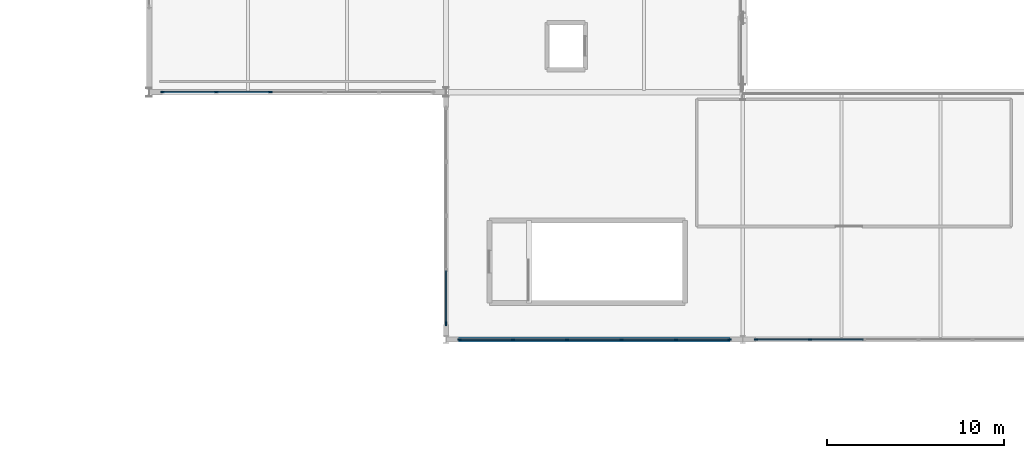
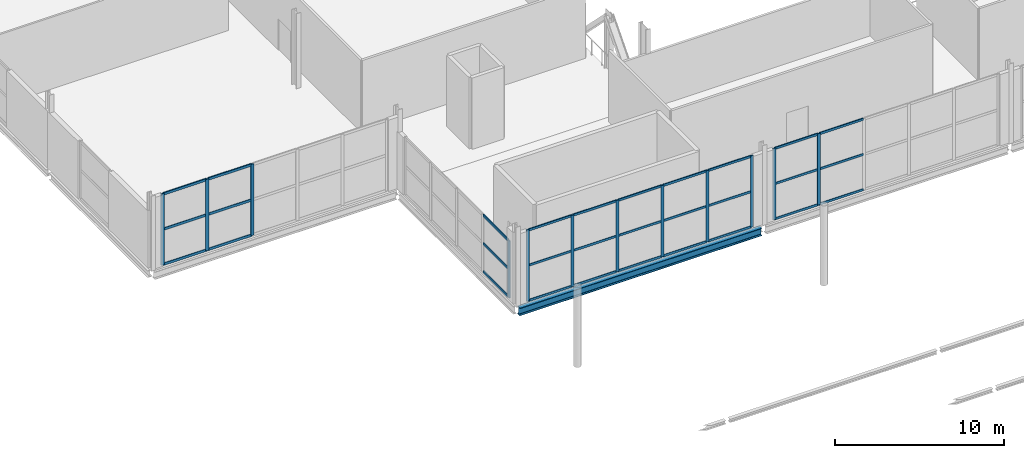
# One storey, part 18 of 84: 42 members, 1 beam, 4 elements without a shape of their own.
"""IFC4 building model written with IfcOpenShell, lengths in metres."""

from ifc_helpers import new_model, si_unit, direction, frame, origin, origin_2d, place, context, subcontext, project, spatial, rectangle, i_section, extrude, material, material_profile, profile_set, type_object, element, aggregate, save


model = new_model("IFC4")

# Units and contexts
model_context = context("Model", 3, precision=1e-05, world=origin(), true_north=direction((0.0, 1.0)))
body_context = subcontext(model_context, "Body", "Model", "MODEL_VIEW")
ifc_project = project(units=[si_unit("LENGTHUNIT", "METRE"), si_unit("AREAUNIT", "SQUARE_METRE"), si_unit("VOLUMEUNIT", "CUBIC_METRE"), si_unit("PLANEANGLEUNIT", "RADIAN"), si_unit("MASSUNIT", "GRAM", prefix="KILO")], contexts=[model_context])

# Site, building, storey
site_placement = place(None, origin())
site = spatial("IfcSite", under=ifc_project, at=site_placement, CompositionType="ELEMENT")
building_placement = place(site_placement, origin())
building = spatial("IfcBuilding", under=site, at=building_placement, Name="Kimbaza Rail Terminus", CompositionType="ELEMENT")
storey_placement = place(building_placement, frame((0.0, 0.0, 5.39990234375)))
storey = spatial("IfcBuildingStorey", under=building, at=storey_placement, Name="L01", CompositionType="ELEMENT", Elevation=5.39990234375)

# Curtain wall, member
ifc_material_1 = material(Name="Anodised aluminium framing and solar low-E glazing", Category="aluminium")
curtain_wall_type_1 = type_object("IfcCurtainWallType", Name="ARC-CW-TH1", PredefinedType="USERDEFINED", material=ifc_material_1)
curtain_wall_1_placement = place(storey_placement, origin())
curtain_wall_1 = element("IfcCurtainWall", 1, at=curtain_wall_1_placement, inside=storey, type_object=curtain_wall_type_1, Name="Concourse W Return Curtain Wall L01", ObjectType="UNITISED CURTAIN WALL", PredefinedType="USERDEFINED")
ifc_material_2 = material(Name="Anodised architectural aluminium", Category="aluminium")
ifc_material_profile_1 = material_profile(ifc_material_2, rectangle(XDim=0.074951171875, YDim=0.219970703125, at=origin_2d()), Name="MULLION 75x220")
ifc_profile_set_1 = profile_set([ifc_material_profile_1], Name="Anodised architectural aluminium")
member_type_1 = type_object("IfcMemberType", Name="ARC-CWM-01", PredefinedType="MULLION", material=ifc_profile_set_1)
member_1_placement = place(storey_placement, frame((55.199951171875, 41.8974609375, 0.0), z_axis=(0.0, 0.0, 1.0), x_axis=(-1.0, 0.0, 0.0)))
member_1 = element("IfcMember", 2, at=member_1_placement, type_object=member_type_1, Name="CW-01 mullion 1", PredefinedType="MULLION", context=body_context, shape_type="SweptSolid", body=[
    extrude(rectangle(XDim=0.074951171875, YDim=0.219970703125, at=origin_2d()), origin(), (0.0, 0.0, 1.0), 4.125),
])

# Curtain wall, members
curtain_wall_2_placement = place(storey_placement, origin())
curtain_wall_2 = element("IfcCurtainWall", 3, at=curtain_wall_2_placement, inside=storey, type_object=curtain_wall_type_1, Name="Ticket Hall Wing W Curtain Wall L01.1", ObjectType="UNITISED CURTAIN WALL", PredefinedType="USERDEFINED")
member_2_placement = place(storey_placement, frame((39.157470703125, 55.0, 0.0), z_axis=(0.0, 0.0, 1.0), x_axis=(0.0, 1.0, 0.0)))
member_2 = element("IfcMember", 4, at=member_2_placement, type_object=member_type_1, Name="CW-01 mullion 1", PredefinedType="MULLION", context=body_context, shape_type="SweptSolid", body=[
    extrude(rectangle(XDim=0.074951171875, YDim=0.219970703125, at=origin_2d()), origin(), (0.0, 0.0, 1.0), 5.14013671875),
])
member_3_placement = place(storey_placement, frame((42.19189453125, 55.0, 0.0), z_axis=(0.0, 0.0, 1.0), x_axis=(0.0, 1.0, 0.0)))
member_3 = element("IfcMember", 5, at=member_3_placement, type_object=member_type_1, Name="CW-01 mullion 2", PredefinedType="MULLION", context=body_context, shape_type="SweptSolid", body=[
    extrude(rectangle(XDim=0.074951171875, YDim=0.219970703125, at=origin_2d()), origin(), (0.0, 0.0, 1.0), 5.14013671875),
])
member_4_placement = place(storey_placement, frame((45.263916015625, 55.0, 0.0), z_axis=(0.0, 0.0, 1.0), x_axis=(0.0, 1.0, 0.0)))
member_4 = element("IfcMember", 6, at=member_4_placement, type_object=member_type_1, Name="CW-01 mullion 3", PredefinedType="MULLION", context=body_context, shape_type="SweptSolid", body=[
    extrude(rectangle(XDim=0.074951171875, YDim=0.219970703125, at=origin_2d()), origin(), (0.0, 0.0, 1.0), 5.14013671875),
])

ifc_material_3 = material(Name="Anodised aluminium framing and solar low-E glazing", Category="aluminium")
curtain_wall_type_2 = type_object("IfcCurtainWallType", Name="ARC-CW-CN1", PredefinedType="USERDEFINED", material=ifc_material_3)
curtain_wall_3_placement = place(storey_placement, origin())
curtain_wall_3 = element("IfcCurtainWall", 7, at=curtain_wall_3_placement, inside=storey, type_object=curtain_wall_type_2, Name="South Concourse Upper Glazing L01 Bay 1", ObjectType="UNITISED CURTAIN WALL", PredefinedType="USERDEFINED")
ifc_material_4 = material(Name="Anodised architectural aluminium", Category="aluminium")
ifc_material_profile_2 = material_profile(ifc_material_4, rectangle(XDim=0.070068359375, YDim=0.199951171875, at=origin_2d()), Name="MULLION 70x200")
ifc_profile_set_2 = profile_set([ifc_material_profile_2], Name="Anodised architectural aluminium")
member_type_2 = type_object("IfcMemberType", Name="ARC-CWM-02", PredefinedType="MULLION", material=ifc_profile_set_2)
member_5_placement = place(storey_placement, frame((55.955078125, 41.0, 0.0), z_axis=(0.0, 0.0, 1.0), x_axis=(0.0, 1.0, 0.0)))
member_5 = element("IfcMember", 8, at=member_5_placement, type_object=member_type_2, Name="CW-02 mullion 1", PredefinedType="MULLION", context=body_context, shape_type="SweptSolid", body=[
    extrude(rectangle(XDim=0.070068359375, YDim=0.199951171875, at=origin_2d()), origin(), (0.0, 0.0, 1.0), 5.14013671875),
])
member_6_placement = place(storey_placement, frame((58.991943359375, 41.0, 0.0), z_axis=(0.0, 0.0, 1.0), x_axis=(0.0, 1.0, 0.0)))
member_6 = element("IfcMember", 9, at=member_6_placement, type_object=member_type_2, Name="CW-02 mullion 2", PredefinedType="MULLION", context=body_context, shape_type="SweptSolid", body=[
    extrude(rectangle(XDim=0.070068359375, YDim=0.199951171875, at=origin_2d()), origin(), (0.0, 0.0, 1.0), 5.14013671875),
])
member_7_placement = place(storey_placement, frame((62.06396484375, 41.0, 0.0), z_axis=(0.0, 0.0, 1.0), x_axis=(0.0, 1.0, 0.0)))
member_7 = element("IfcMember", 10, at=member_7_placement, type_object=member_type_2, Name="CW-02 mullion 3", PredefinedType="MULLION", context=body_context, shape_type="SweptSolid", body=[
    extrude(rectangle(XDim=0.070068359375, YDim=0.199951171875, at=origin_2d()), origin(), (0.0, 0.0, 1.0), 5.14013671875),
])
member_8_placement = place(storey_placement, frame((65.135986328125, 41.0, 0.0), z_axis=(0.0, 0.0, 1.0), x_axis=(0.0, 1.0, 0.0)))
member_8 = element("IfcMember", 11, at=member_8_placement, type_object=member_type_2, Name="CW-02 mullion 4", PredefinedType="MULLION", context=body_context, shape_type="SweptSolid", body=[
    extrude(rectangle(XDim=0.070068359375, YDim=0.199951171875, at=origin_2d()), origin(), (0.0, 0.0, 1.0), 5.14013671875),
])
member_9_placement = place(storey_placement, frame((68.2080078125, 41.0, 0.0), z_axis=(0.0, 0.0, 1.0), x_axis=(0.0, 1.0, 0.0)))
member_9 = element("IfcMember", 12, at=member_9_placement, type_object=member_type_2, Name="CW-02 mullion 5", PredefinedType="MULLION", context=body_context, shape_type="SweptSolid", body=[
    extrude(rectangle(XDim=0.070068359375, YDim=0.199951171875, at=origin_2d()), origin(), (0.0, 0.0, 1.0), 5.14013671875),
])
member_10_placement = place(storey_placement, frame((71.2451171875, 41.0, 0.0), z_axis=(0.0, 0.0, 1.0), x_axis=(0.0, 1.0, 0.0)))
member_10 = element("IfcMember", 13, at=member_10_placement, type_object=member_type_2, Name="CW-02 mullion 6", PredefinedType="MULLION", context=body_context, shape_type="SweptSolid", body=[
    extrude(rectangle(XDim=0.070068359375, YDim=0.199951171875, at=origin_2d()), origin(), (0.0, 0.0, 1.0), 5.14013671875),
])

curtain_wall_4_placement = place(storey_placement, origin())
curtain_wall_4 = element("IfcCurtainWall", 14, at=curtain_wall_4_placement, inside=storey, type_object=curtain_wall_type_2, Name="South Concourse Upper Glazing L01 Bay 2", ObjectType="UNITISED CURTAIN WALL", PredefinedType="USERDEFINED")
member_11_placement = place(storey_placement, frame((72.7548828125, 41.0, 0.0), z_axis=(0.0, 0.0, 1.0), x_axis=(0.0, 1.0, 0.0)))
member_11 = element("IfcMember", 15, at=member_11_placement, type_object=member_type_2, Name="CW-02 mullion 1", PredefinedType="MULLION", context=body_context, shape_type="SweptSolid", body=[
    extrude(rectangle(XDim=0.070068359375, YDim=0.199951171875, at=origin_2d()), origin(), (0.0, 0.0, 1.0), 5.14013671875),
])
member_12_placement = place(storey_placement, frame((75.7919921875, 41.0, 0.0), z_axis=(0.0, 0.0, 1.0), x_axis=(0.0, 1.0, 0.0)))
member_12 = element("IfcMember", 16, at=member_12_placement, type_object=member_type_2, Name="CW-02 mullion 2", PredefinedType="MULLION", context=body_context, shape_type="SweptSolid", body=[
    extrude(rectangle(XDim=0.070068359375, YDim=0.199951171875, at=origin_2d()), origin(), (0.0, 0.0, 1.0), 5.14013671875),
])

# Member
ifc_material_5 = material(Name="Anodised architectural aluminium", Category="aluminium")
ifc_material_profile_3 = material_profile(ifc_material_5, rectangle(XDim=0.074951171875, YDim=0.179931640625, at=origin_2d()), Name="TRANSOM 75x180")
ifc_profile_set_3 = profile_set([ifc_material_profile_3], Name="Anodised architectural aluminium")
member_type_3 = type_object("IfcMemberType", Name="ARC-CWT-01", PredefinedType="USERDEFINED", material=ifc_profile_set_3)
member_13_placement = place(storey_placement, frame((55.199951171875, 41.93505859375, 0.03759765625), z_axis=(0.0, 1.0, 0.0), x_axis=(-1.0, 0.0, 0.0)))
member_13 = element("IfcMember", 17, at=member_13_placement, type_object=member_type_3, Name="CW-01 transom 1.1", ObjectType="TRANSOM", PredefinedType="USERDEFINED", context=body_context, shape_type="SweptSolid", body=[
    extrude(rectangle(XDim=0.074951171875, YDim=0.179931640625, at=origin_2d()), origin(), (0.0, 0.0, 1.0), 2.95751953125),
])

member_14_placement = place(storey_placement, frame((55.199951171875, 41.93505859375, 2.0625), z_axis=(0.0, 1.0, 0.0), x_axis=(-1.0, 0.0, 0.0)))
member_14 = element("IfcMember", 18, at=member_14_placement, type_object=member_type_3, Name="CW-01 transom 1.2", ObjectType="TRANSOM", PredefinedType="USERDEFINED", context=body_context, shape_type="SweptSolid", body=[
    extrude(rectangle(XDim=0.074951171875, YDim=0.179931640625, at=origin_2d()), origin(), (0.0, 0.0, 1.0), 2.95751953125),
])

member_15_placement = place(storey_placement, frame((55.199951171875, 41.93505859375, 4.087646484375), z_axis=(0.0, 1.0, 0.0), x_axis=(-1.0, 0.0, 0.0)))
member_15 = element("IfcMember", 19, at=member_15_placement, type_object=member_type_3, Name="CW-01 transom 1.3", ObjectType="TRANSOM", PredefinedType="USERDEFINED", context=body_context, shape_type="SweptSolid", body=[
    extrude(rectangle(XDim=0.074951171875, YDim=0.179931640625, at=origin_2d()), origin(), (0.0, 0.0, 1.0), 2.95751953125),
])

aggregate(curtain_wall_1, [member_1, member_13, member_14, member_15])

member_16_placement = place(storey_placement, frame((39.195068359375, 55.0, 0.03759765625), z_axis=(1.0, 0.0, 0.0), x_axis=(0.0, 1.0, 0.0)))
member_16 = element("IfcMember", 20, at=member_16_placement, type_object=member_type_3, Name="CW-01 transom 1.1", ObjectType="TRANSOM", PredefinedType="USERDEFINED", context=body_context, shape_type="SweptSolid", body=[
    extrude(rectangle(XDim=0.074951171875, YDim=0.179931640625, at=origin_2d()), origin(), (0.0, 0.0, 1.0), 2.95947265625),
])

member_17_placement = place(storey_placement, frame((39.195068359375, 55.0, 2.570068359375), z_axis=(1.0, 0.0, 0.0), x_axis=(0.0, 1.0, 0.0)))
member_17 = element("IfcMember", 21, at=member_17_placement, type_object=member_type_3, Name="CW-01 transom 1.2", ObjectType="TRANSOM", PredefinedType="USERDEFINED", context=body_context, shape_type="SweptSolid", body=[
    extrude(rectangle(XDim=0.074951171875, YDim=0.179931640625, at=origin_2d()), origin(), (0.0, 0.0, 1.0), 2.95947265625),
])

member_18_placement = place(storey_placement, frame((39.195068359375, 55.0, 5.1025390625), z_axis=(1.0, 0.0, 0.0), x_axis=(0.0, 1.0, 0.0)))
member_18 = element("IfcMember", 22, at=member_18_placement, type_object=member_type_3, Name="CW-01 transom 1.3", ObjectType="TRANSOM", PredefinedType="USERDEFINED", context=body_context, shape_type="SweptSolid", body=[
    extrude(rectangle(XDim=0.074951171875, YDim=0.179931640625, at=origin_2d()), origin(), (0.0, 0.0, 1.0), 2.95947265625),
])

member_19_placement = place(storey_placement, frame((42.2294921875, 55.0, 0.03759765625), z_axis=(1.0, 0.0, 0.0), x_axis=(0.0, 1.0, 0.0)))
member_19 = element("IfcMember", 23, at=member_19_placement, type_object=member_type_3, Name="CW-01 transom 2.1", ObjectType="TRANSOM", PredefinedType="USERDEFINED", context=body_context, shape_type="SweptSolid", body=[
    extrude(rectangle(XDim=0.074951171875, YDim=0.179931640625, at=origin_2d()), origin(), (0.0, 0.0, 1.0), 2.9970703125),
])

member_20_placement = place(storey_placement, frame((42.2294921875, 55.0, 2.570068359375), z_axis=(1.0, 0.0, 0.0), x_axis=(0.0, 1.0, 0.0)))
member_20 = element("IfcMember", 24, at=member_20_placement, type_object=member_type_3, Name="CW-01 transom 2.2", ObjectType="TRANSOM", PredefinedType="USERDEFINED", context=body_context, shape_type="SweptSolid", body=[
    extrude(rectangle(XDim=0.074951171875, YDim=0.179931640625, at=origin_2d()), origin(), (0.0, 0.0, 1.0), 2.9970703125),
])

member_21_placement = place(storey_placement, frame((42.2294921875, 55.0, 5.1025390625), z_axis=(1.0, 0.0, 0.0), x_axis=(0.0, 1.0, 0.0)))
member_21 = element("IfcMember", 25, at=member_21_placement, type_object=member_type_3, Name="CW-01 transom 2.3", ObjectType="TRANSOM", PredefinedType="USERDEFINED", context=body_context, shape_type="SweptSolid", body=[
    extrude(rectangle(XDim=0.074951171875, YDim=0.179931640625, at=origin_2d()), origin(), (0.0, 0.0, 1.0), 2.9970703125),
])

aggregate(curtain_wall_2, [member_2, member_3, member_4, member_16, member_17, member_18, member_19, member_20, member_21])

ifc_material_6 = material(Name="Anodised architectural aluminium", Category="aluminium")
ifc_material_profile_4 = material_profile(ifc_material_6, rectangle(XDim=0.070068359375, YDim=0.159912109375, at=origin_2d()), Name="TRANSOM 70x160")
ifc_profile_set_4 = profile_set([ifc_material_profile_4], Name="Anodised architectural aluminium")
member_type_4 = type_object("IfcMemberType", Name="ARC-CWT-02", PredefinedType="USERDEFINED", material=ifc_profile_set_4)
member_22_placement = place(storey_placement, frame((55.989990234375, 41.0, 0.03515625), z_axis=(1.0, 0.0, 0.0), x_axis=(0.0, 1.0, 0.0)))
member_22 = element("IfcMember", 26, at=member_22_placement, type_object=member_type_4, Name="CW-02 transom 1.1", ObjectType="TRANSOM", PredefinedType="USERDEFINED", context=body_context, shape_type="SweptSolid", body=[
    extrude(rectangle(XDim=0.070068359375, YDim=0.159912109375, at=origin_2d()), origin(), (0.0, 0.0, 1.0), 2.967041015625),
])

member_23_placement = place(storey_placement, frame((55.989990234375, 41.0, 2.570068359375), z_axis=(1.0, 0.0, 0.0), x_axis=(0.0, 1.0, 0.0)))
member_23 = element("IfcMember", 27, at=member_23_placement, type_object=member_type_4, Name="CW-02 transom 1.2", ObjectType="TRANSOM", PredefinedType="USERDEFINED", context=body_context, shape_type="SweptSolid", body=[
    extrude(rectangle(XDim=0.070068359375, YDim=0.159912109375, at=origin_2d()), origin(), (0.0, 0.0, 1.0), 2.967041015625),
])

member_24_placement = place(storey_placement, frame((55.989990234375, 41.0, 5.10498046875), z_axis=(1.0, 0.0, 0.0), x_axis=(0.0, 1.0, 0.0)))
member_24 = element("IfcMember", 28, at=member_24_placement, type_object=member_type_4, Name="CW-02 transom 1.3", ObjectType="TRANSOM", PredefinedType="USERDEFINED", context=body_context, shape_type="SweptSolid", body=[
    extrude(rectangle(XDim=0.070068359375, YDim=0.159912109375, at=origin_2d()), origin(), (0.0, 0.0, 1.0), 2.967041015625),
])

member_25_placement = place(storey_placement, frame((59.027099609375, 41.0, 0.03515625), z_axis=(1.0, 0.0, 0.0), x_axis=(0.0, 1.0, 0.0)))
member_25 = element("IfcMember", 29, at=member_25_placement, type_object=member_type_4, Name="CW-02 transom 2.1", ObjectType="TRANSOM", PredefinedType="USERDEFINED", context=body_context, shape_type="SweptSolid", body=[
    extrude(rectangle(XDim=0.070068359375, YDim=0.159912109375, at=origin_2d()), origin(), (0.0, 0.0, 1.0), 3.001953125),
])

member_26_placement = place(storey_placement, frame((59.027099609375, 41.0, 2.570068359375), z_axis=(1.0, 0.0, 0.0), x_axis=(0.0, 1.0, 0.0)))
member_26 = element("IfcMember", 30, at=member_26_placement, type_object=member_type_4, Name="CW-02 transom 2.2", ObjectType="TRANSOM", PredefinedType="USERDEFINED", context=body_context, shape_type="SweptSolid", body=[
    extrude(rectangle(XDim=0.070068359375, YDim=0.159912109375, at=origin_2d()), origin(), (0.0, 0.0, 1.0), 3.001953125),
])

member_27_placement = place(storey_placement, frame((59.027099609375, 41.0, 5.10498046875), z_axis=(1.0, 0.0, 0.0), x_axis=(0.0, 1.0, 0.0)))
member_27 = element("IfcMember", 31, at=member_27_placement, type_object=member_type_4, Name="CW-02 transom 2.3", ObjectType="TRANSOM", PredefinedType="USERDEFINED", context=body_context, shape_type="SweptSolid", body=[
    extrude(rectangle(XDim=0.070068359375, YDim=0.159912109375, at=origin_2d()), origin(), (0.0, 0.0, 1.0), 3.001953125),
])

member_28_placement = place(storey_placement, frame((62.09912109375, 41.0, 0.03515625), z_axis=(1.0, 0.0, 0.0), x_axis=(0.0, 1.0, 0.0)))
member_28 = element("IfcMember", 32, at=member_28_placement, type_object=member_type_4, Name="CW-02 transom 3.1", ObjectType="TRANSOM", PredefinedType="USERDEFINED", context=body_context, shape_type="SweptSolid", body=[
    extrude(rectangle(XDim=0.070068359375, YDim=0.159912109375, at=origin_2d()), origin(), (0.0, 0.0, 1.0), 3.001953125),
])

member_29_placement = place(storey_placement, frame((62.09912109375, 41.0, 2.570068359375), z_axis=(1.0, 0.0, 0.0), x_axis=(0.0, 1.0, 0.0)))
member_29 = element("IfcMember", 33, at=member_29_placement, type_object=member_type_4, Name="CW-02 transom 3.2", ObjectType="TRANSOM", PredefinedType="USERDEFINED", context=body_context, shape_type="SweptSolid", body=[
    extrude(rectangle(XDim=0.070068359375, YDim=0.159912109375, at=origin_2d()), origin(), (0.0, 0.0, 1.0), 3.001953125),
])

member_30_placement = place(storey_placement, frame((62.09912109375, 41.0, 5.10498046875), z_axis=(1.0, 0.0, 0.0), x_axis=(0.0, 1.0, 0.0)))
member_30 = element("IfcMember", 34, at=member_30_placement, type_object=member_type_4, Name="CW-02 transom 3.3", ObjectType="TRANSOM", PredefinedType="USERDEFINED", context=body_context, shape_type="SweptSolid", body=[
    extrude(rectangle(XDim=0.070068359375, YDim=0.159912109375, at=origin_2d()), origin(), (0.0, 0.0, 1.0), 3.001953125),
])

member_31_placement = place(storey_placement, frame((65.1708984375, 41.0, 0.03515625), z_axis=(1.0, 0.0, 0.0), x_axis=(0.0, 1.0, 0.0)))
member_31 = element("IfcMember", 35, at=member_31_placement, type_object=member_type_4, Name="CW-02 transom 4.1", ObjectType="TRANSOM", PredefinedType="USERDEFINED", context=body_context, shape_type="SweptSolid", body=[
    extrude(rectangle(XDim=0.070068359375, YDim=0.159912109375, at=origin_2d()), origin(), (0.0, 0.0, 1.0), 3.002197265625),
])

member_32_placement = place(storey_placement, frame((65.1708984375, 41.0, 2.570068359375), z_axis=(1.0, 0.0, 0.0), x_axis=(0.0, 1.0, 0.0)))
member_32 = element("IfcMember", 36, at=member_32_placement, type_object=member_type_4, Name="CW-02 transom 4.2", ObjectType="TRANSOM", PredefinedType="USERDEFINED", context=body_context, shape_type="SweptSolid", body=[
    extrude(rectangle(XDim=0.070068359375, YDim=0.159912109375, at=origin_2d()), origin(), (0.0, 0.0, 1.0), 3.002197265625),
])

member_33_placement = place(storey_placement, frame((65.1708984375, 41.0, 5.10498046875), z_axis=(1.0, 0.0, 0.0), x_axis=(0.0, 1.0, 0.0)))
member_33 = element("IfcMember", 37, at=member_33_placement, type_object=member_type_4, Name="CW-02 transom 4.3", ObjectType="TRANSOM", PredefinedType="USERDEFINED", context=body_context, shape_type="SweptSolid", body=[
    extrude(rectangle(XDim=0.070068359375, YDim=0.159912109375, at=origin_2d()), origin(), (0.0, 0.0, 1.0), 3.002197265625),
])

member_34_placement = place(storey_placement, frame((68.242919921875, 41.0, 0.03515625), z_axis=(1.0, 0.0, 0.0), x_axis=(0.0, 1.0, 0.0)))
member_34 = element("IfcMember", 38, at=member_34_placement, type_object=member_type_4, Name="CW-02 transom 5.1", ObjectType="TRANSOM", PredefinedType="USERDEFINED", context=body_context, shape_type="SweptSolid", body=[
    extrude(rectangle(XDim=0.070068359375, YDim=0.159912109375, at=origin_2d()), origin(), (0.0, 0.0, 1.0), 2.967041015625),
])

member_35_placement = place(storey_placement, frame((68.242919921875, 41.0, 2.570068359375), z_axis=(1.0, 0.0, 0.0), x_axis=(0.0, 1.0, 0.0)))
member_35 = element("IfcMember", 39, at=member_35_placement, type_object=member_type_4, Name="CW-02 transom 5.2", ObjectType="TRANSOM", PredefinedType="USERDEFINED", context=body_context, shape_type="SweptSolid", body=[
    extrude(rectangle(XDim=0.070068359375, YDim=0.159912109375, at=origin_2d()), origin(), (0.0, 0.0, 1.0), 2.967041015625),
])

member_36_placement = place(storey_placement, frame((68.242919921875, 41.0, 5.10498046875), z_axis=(1.0, 0.0, 0.0), x_axis=(0.0, 1.0, 0.0)))
member_36 = element("IfcMember", 40, at=member_36_placement, type_object=member_type_4, Name="CW-02 transom 5.3", ObjectType="TRANSOM", PredefinedType="USERDEFINED", context=body_context, shape_type="SweptSolid", body=[
    extrude(rectangle(XDim=0.070068359375, YDim=0.159912109375, at=origin_2d()), origin(), (0.0, 0.0, 1.0), 2.967041015625),
])

aggregate(curtain_wall_3, [member_5, member_6, member_7, member_8, member_9, member_10, member_22, member_23, member_24, member_25, member_26, member_27, member_28, member_29, member_30, member_31, member_32, member_33, member_34, member_35, member_36])

member_37_placement = place(storey_placement, frame((72.7900390625, 41.0, 0.03515625), z_axis=(1.0, 0.0, 0.0), x_axis=(0.0, 1.0, 0.0)))
member_37 = element("IfcMember", 41, at=member_37_placement, type_object=member_type_4, Name="CW-02 transom 1.1", ObjectType="TRANSOM", PredefinedType="USERDEFINED", context=body_context, shape_type="SweptSolid", body=[
    extrude(rectangle(XDim=0.070068359375, YDim=0.159912109375, at=origin_2d()), origin(), (0.0, 0.0, 1.0), 2.967041015625),
])

member_38_placement = place(storey_placement, frame((72.7900390625, 41.0, 2.570068359375), z_axis=(1.0, 0.0, 0.0), x_axis=(0.0, 1.0, 0.0)))
member_38 = element("IfcMember", 42, at=member_38_placement, type_object=member_type_4, Name="CW-02 transom 1.2", ObjectType="TRANSOM", PredefinedType="USERDEFINED", context=body_context, shape_type="SweptSolid", body=[
    extrude(rectangle(XDim=0.070068359375, YDim=0.159912109375, at=origin_2d()), origin(), (0.0, 0.0, 1.0), 2.967041015625),
])

member_39_placement = place(storey_placement, frame((72.7900390625, 41.0, 5.10498046875), z_axis=(1.0, 0.0, 0.0), x_axis=(0.0, 1.0, 0.0)))
member_39 = element("IfcMember", 43, at=member_39_placement, type_object=member_type_4, Name="CW-02 transom 1.3", ObjectType="TRANSOM", PredefinedType="USERDEFINED", context=body_context, shape_type="SweptSolid", body=[
    extrude(rectangle(XDim=0.070068359375, YDim=0.159912109375, at=origin_2d()), origin(), (0.0, 0.0, 1.0), 2.967041015625),
])

member_40_placement = place(storey_placement, frame((75.826904296875, 41.0, 0.03515625), z_axis=(1.0, 0.0, 0.0), x_axis=(0.0, 1.0, 0.0)))
member_40 = element("IfcMember", 44, at=member_40_placement, type_object=member_type_4, Name="CW-02 transom 2.1", ObjectType="TRANSOM", PredefinedType="USERDEFINED", context=body_context, shape_type="SweptSolid", body=[
    extrude(rectangle(XDim=0.070068359375, YDim=0.159912109375, at=origin_2d()), origin(), (0.0, 0.0, 1.0), 3.002197265625),
])

member_41_placement = place(storey_placement, frame((75.826904296875, 41.0, 2.570068359375), z_axis=(1.0, 0.0, 0.0), x_axis=(0.0, 1.0, 0.0)))
member_41 = element("IfcMember", 45, at=member_41_placement, type_object=member_type_4, Name="CW-02 transom 2.2", ObjectType="TRANSOM", PredefinedType="USERDEFINED", context=body_context, shape_type="SweptSolid", body=[
    extrude(rectangle(XDim=0.070068359375, YDim=0.159912109375, at=origin_2d()), origin(), (0.0, 0.0, 1.0), 3.002197265625),
])

member_42_placement = place(storey_placement, frame((75.826904296875, 41.0, 5.10498046875), z_axis=(1.0, 0.0, 0.0), x_axis=(0.0, 1.0, 0.0)))
member_42 = element("IfcMember", 46, at=member_42_placement, type_object=member_type_4, Name="CW-02 transom 2.3", ObjectType="TRANSOM", PredefinedType="USERDEFINED", context=body_context, shape_type="SweptSolid", body=[
    extrude(rectangle(XDim=0.070068359375, YDim=0.159912109375, at=origin_2d()), origin(), (0.0, 0.0, 1.0), 3.002197265625),
])

aggregate(curtain_wall_4, [member_11, member_12, member_37, member_38, member_39, member_40, member_41, member_42])

# Beam
ifc_material_7 = material(Name="Steel S355", Category="steel")
ifc_material_profile_5 = material_profile(ifc_material_7, i_section(OverallWidth=0.300048828125, OverallDepth=0.550048828125, WebThickness=0.014892578125, FlangeThickness=0.029052734375, FilletRadius=0.027099609375, at=origin_2d()), Name="HEB 550")
ifc_profile_set_5 = profile_set([ifc_material_profile_5], Name="Steel S355")
beam_type = type_object("IfcBeamType", Name="STR-BM-HEB550", PredefinedType="BEAM", material=ifc_profile_set_5)
beam_placement = place(storey_placement, frame((55.345947265625, 41.0, -0.494873046875), z_axis=(1.0, 0.0, 0.0), x_axis=(0.0, 1.0, 0.0)))
element("IfcBeam", 47, at=beam_placement, inside=storey, type_object=beam_type, Name="Beam BM-V2X-L01-41-0", PredefinedType="BEAM", context=body_context, shape_type="SweptSolid", body=[
    extrude(i_section(OverallWidth=0.300048828125, OverallDepth=0.550048828125, WebThickness=0.014892578125, FlangeThickness=0.029052734375, FilletRadius=0.027099609375, at=origin_2d()), origin(), (0.0, 0.0, 1.0), 16.508056640625),
])

save(model, "model.ifc")
